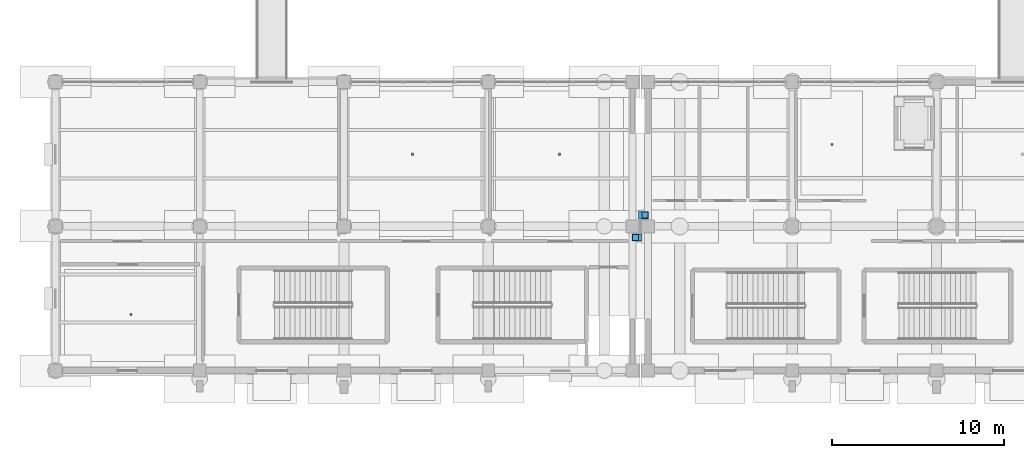
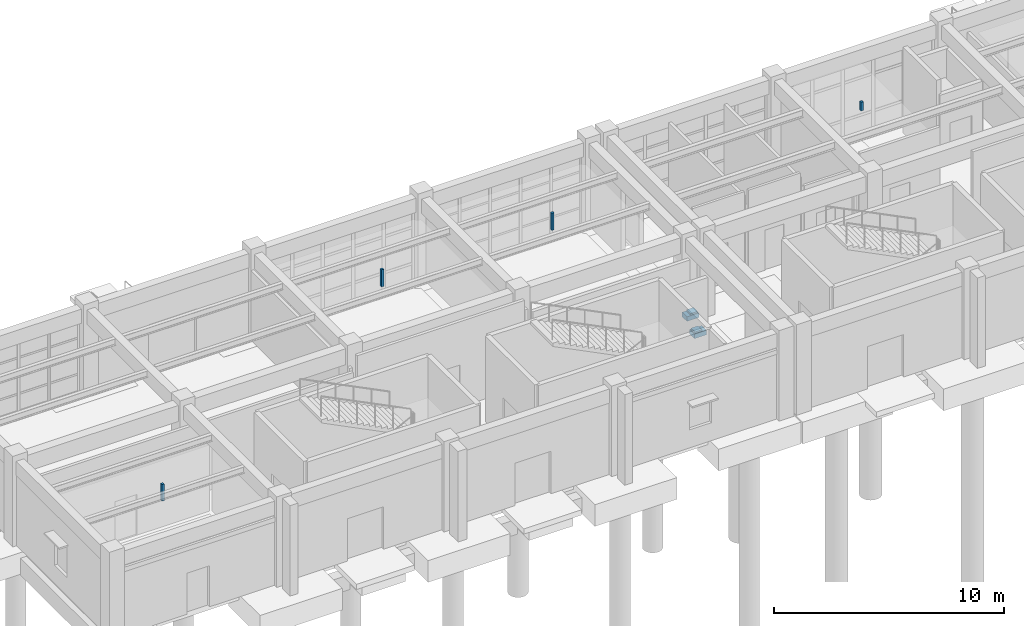
# One storey, part 21 of 29: 8 discrete accessories.
"""IFC4 building model written with IfcOpenShell, lengths in metres."""

from ifc_helpers import new_model, si_unit, direction, frame, origin, origin_2d, place, context, subcontext, project, spatial, rectangle, extrude, material, layer, layer_set, type_object, element, save


model = new_model("IFC4")

# Units and contexts
model_context = context("Model", 3, precision=1e-05, world=origin(), true_north=direction((0.0, 1.0)))
body_context = subcontext(model_context, "Body", "Model", "MODEL_VIEW")
ifc_project = project(units=[si_unit("LENGTHUNIT", "METRE"), si_unit("AREAUNIT", "SQUARE_METRE"), si_unit("VOLUMEUNIT", "CUBIC_METRE"), si_unit("PLANEANGLEUNIT", "RADIAN"), si_unit("MASSUNIT", "GRAM", prefix="KILO")], contexts=[model_context])

# Site, building, storey
site_placement = place(None, origin())
site = spatial("IfcSite", under=ifc_project, at=site_placement, CompositionType="ELEMENT")
building_placement = place(site_placement, origin())
building = spatial("IfcBuilding", under=site, at=building_placement, Name="Canglan Escarpment Cableway Terminal", CompositionType="ELEMENT")
storey_placement = place(building_placement, origin())
storey = spatial("IfcBuildingStorey", under=building, at=storey_placement, Name="L00", CompositionType="ELEMENT", Elevation=0.0)

# Discrete accessories
ifc_material_1 = material(Name="Steel Q355B", Category="steel")
ifc_layer_1 = layer(ifc_material_1, 0.159912109375, Name="Steel Q355B")
ifc_layer_set_1 = layer_set([ifc_layer_1], Name="Steel Q355B")
discrete_accessory_type_1 = type_object("IfcDiscreteAccessoryType", Name="ACC-BRACKET-01", PredefinedType="BRACKET", material=ifc_layer_set_1)
discrete_accessory_1_placement = place(storey_placement, frame((12.39990234375, 11.280029296875, 3.68994140625), z_axis=(0.0, 0.0, 1.0), x_axis=(1.0, 0.0, 0.0)))
element("IfcDiscreteAccessory", 1, at=discrete_accessory_1_placement, inside=storey, type_object=discrete_accessory_type_1, Name="Suspended ceiling hanger bracket BK-01", PredefinedType="BRACKET", context=body_context, shape_type="SweptSolid", body=[
    extrude(rectangle(XDim=0.1201171875, YDim=0.1201171875, at=origin_2d()), origin(), (0.0, 0.0, 1.0), 0.8798828125),
])
for number, where, z_axis, x_axis, name in (
    (2, (28.800048828125, 20.60009765625, 3.66015625), (0.0, 0.0, 1.0), (1.0, 0.0, 0.0), "Suspended ceiling hanger bracket BK-01"),
    (3, (37.35009765625, 20.60009765625, 3.66015625), (0.0, 0.0, 1.0), (1.0, 0.0, 0.0), "Suspended ceiling hanger bracket BK-01"),
):
    element("IfcDiscreteAccessory", number, at=place(storey_placement, frame(where, z_axis=z_axis, x_axis=x_axis)), inside=storey, type_object=discrete_accessory_type_1, Name=name, PredefinedType="BRACKET", context=body_context, shape_type="SweptSolid", body=[
        extrude(rectangle(XDim=0.1201171875, YDim=0.1201171875, at=origin_2d()), origin(), (0.0, 0.0, 1.0), 0.909912109375),
    ])
discrete_accessory_2_placement = place(storey_placement, frame((53.199951171875, 21.17431640625, 4.110107421875), z_axis=(0.0, 0.0, 1.0), x_axis=(1.0, 0.0, 0.0)))
element("IfcDiscreteAccessory", 4, at=discrete_accessory_2_placement, inside=storey, type_object=discrete_accessory_type_1, Name="Suspended ceiling hanger bracket BK-01", PredefinedType="BRACKET", context=body_context, shape_type="SweptSolid", body=[
    extrude(rectangle(XDim=0.1201171875, YDim=0.1201171875, at=origin_2d()), origin(), (0.0, 0.0, 1.0), 0.4599609375),
])
ifc_material_2 = material(Name="Concrete C40", Category="concrete")
ifc_layer_2 = layer(ifc_material_2, 0.239990234375, Name="Concrete C40")
ifc_layer_set_2 = layer_set([ifc_layer_2], Name="Concrete C40")
discrete_accessory_type_2 = type_object("IfcDiscreteAccessoryType", Name="ACC-CORBEL-CB01", PredefinedType="BRACKET", material=ifc_layer_set_2)
for number, where, z_axis, x_axis, name in (
    (5, (41.864990234375, 15.75, -0.5400390625), (0.0, 0.0, 1.0), (1.0, 0.0, 0.0), "Concrete C40 movement-joint corbel bearing ledge CB-01"),
    (6, (42.235107421875, 17.050048828125, -0.5400390625), (0.0, 0.0, 1.0), (1.0, 0.0, 0.0), "Concrete C40 movement-joint corbel bearing ledge CB-01"),
):
    element("IfcDiscreteAccessory", number, at=place(storey_placement, frame(where, z_axis=z_axis, x_axis=x_axis)), inside=storey, type_object=discrete_accessory_type_2, Name=name, PredefinedType="BRACKET", context=body_context, shape_type="SweptSolid", body=[
        extrude(rectangle(XDim=0.60009765625, YDim=0.419921875, at=origin_2d()), origin(), (0.0, 0.0, 1.0), 0.239990234375),
    ])
ifc_material_3 = material(Name="Stainless steel and PTFE elastomer", Category="steel")
ifc_layer_3 = layer(ifc_material_3, 0.080078125, Name="Stainless steel and PTFE elastomer")
ifc_layer_set_3 = layer_set([ifc_layer_3], Name="Stainless steel and PTFE elastomer")
discrete_accessory_type_3 = type_object("IfcDiscreteAccessoryType", Name="BRG-SLIDING-MJ01", PredefinedType="USERDEFINED", material=ifc_layer_set_3)
for number, where, z_axis, x_axis, name in (
    (7, (41.784912109375, 15.75, -0.300048828125), (0.0, 0.0, 1.0), (1.0, 0.0, 0.0), "Unguided PTFE-elastomeric sliding bearing pad MJ-01"),
    (8, (42.31494140625, 17.050048828125, -0.300048828125), (0.0, 0.0, 1.0), (1.0, 0.0, 0.0), "Unguided PTFE-elastomeric sliding bearing pad MJ-01"),
):
    element("IfcDiscreteAccessory", number, at=place(storey_placement, frame(where, z_axis=z_axis, x_axis=x_axis)), inside=storey, type_object=discrete_accessory_type_3, Name=name, ObjectType="SLIDING BEARING", PredefinedType="USERDEFINED", context=body_context, shape_type="SweptSolid", body=[
        extrude(rectangle(XDim=0.35009765625, YDim=0.35009765625, at=origin_2d()), origin(), (0.0, 0.0, 1.0), 0.080078125),
    ])

save(model, "model.ifc")
